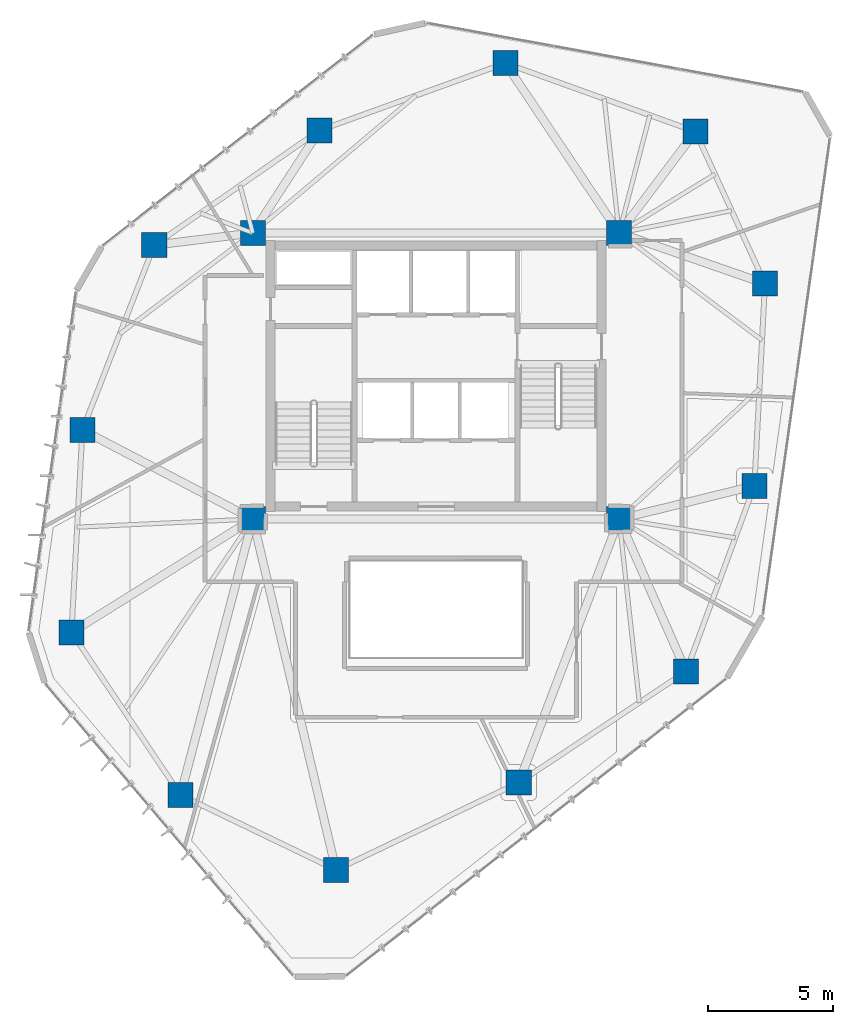
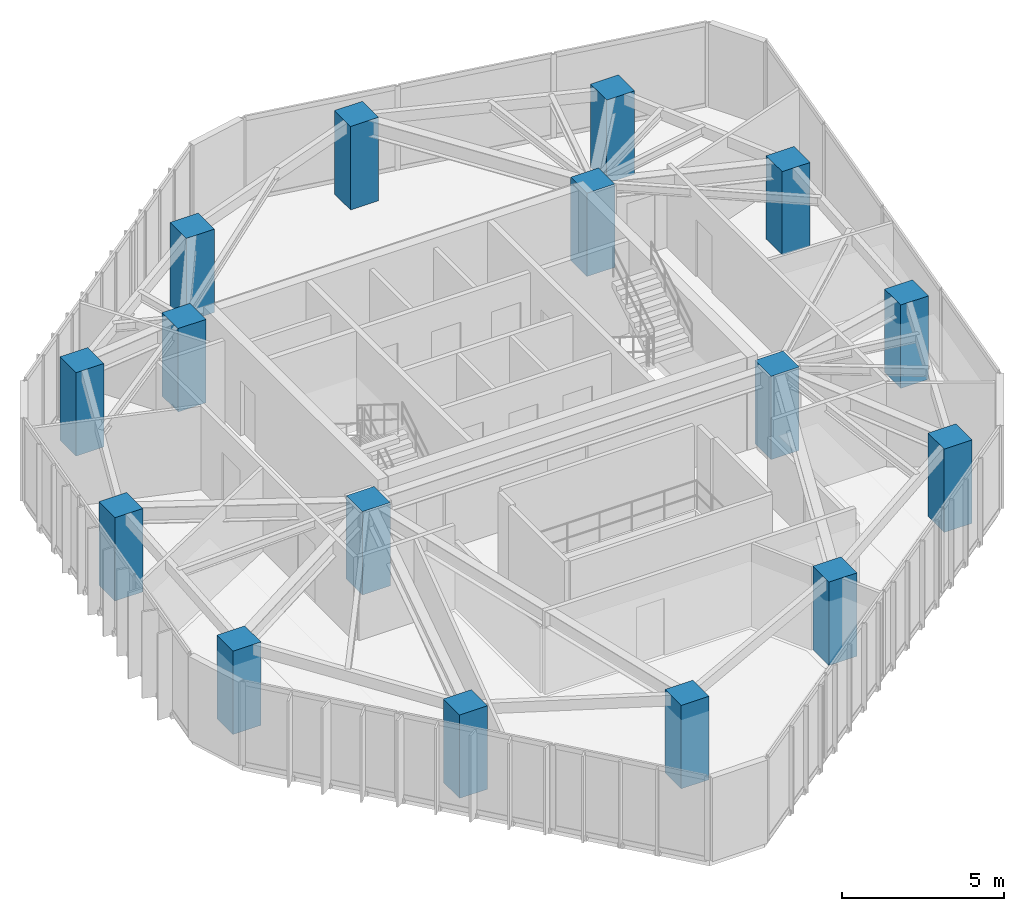
# One storey, part 1 of 21: 16 columns.
"""IFC4 building model written with IfcOpenShell, lengths in metres."""

import ifcopenshell
import ifcopenshell.guid

model = None  # the IFC model being written
_history = None  # IfcOwnerHistory: only IFC2X3 demands one
_inside = {}  # id of a spatial element -> (the spatial element, [elements in it])
_under = {}  # id of a project, library or spatial element -> (it, [spatial elements below it])
_declared = {}  # id of a project -> (the project, [libraries it declares])
_typed = {}  # id of a type object -> (the type object, [elements of that type])
_made_of = {}  # id of a material, layer set ... -> (it, [elements and type objects made of it])


def new_model(schema):
    """Start an empty IFC model of exactly this schema.

    Asked for "IFC4X3", IfcOpenShell would pick the latest addendum, in which some entities
    have other attributes; the version numbers below select the first issue.
    IFC2X3 requires an IfcOwnerHistory on every rooted entity: one is made here for all.
    """
    global model, _history
    if schema == "IFC4X3":
        model = ifcopenshell.file(schema_version=(4, 3, 0, 0))
    else:
        model = ifcopenshell.file(schema=schema)
    _inside.clear()
    _under.clear()
    _declared.clear()
    _typed.clear()
    _made_of.clear()
    _history = None
    if model.schema == "IFC2X3":
        org = make("IfcOrganization", Name="unknown")
        user = make(
            "IfcPersonAndOrganization",
            ThePerson=make("IfcPerson", FamilyName="unknown"),
            TheOrganization=org,
        )
        app = make(
            "IfcApplication",
            ApplicationDeveloper=org,
            Version="unknown",
            ApplicationFullName="unknown",
            ApplicationIdentifier="unknown",
        )
        _history = make(
            "IfcOwnerHistory",
            OwningUser=user,
            OwningApplication=app,
            ChangeAction="ADDED",
            CreationDate=0,
        )
    return model


def make(cls, **values):
    """One entity of the class cls with the attributes given. An attribute that is None is left unset."""
    return model.create_entity(
        cls, **{name: value for name, value in values.items() if value is not None}
    )


def rooted(cls, **values):
    """An entity with a GlobalId (a new one), such as an element, a storey or a relation."""
    return make(cls, GlobalId=ifcopenshell.guid.new(), OwnerHistory=_history, **values)


def si_unit(unit_type, name, prefix=None):
    """IfcSIUnit, for example si_unit("LENGTHUNIT", "METRE", prefix="MILLI")."""
    return make("IfcSIUnit", UnitType=unit_type, Prefix=prefix, Name=name)


def assignment(units):
    """IfcUnitAssignment: the units of a project."""
    return None if units is None else make("IfcUnitAssignment", Units=units)


def point(xyz):
    """IfcCartesianPoint."""
    return None if xyz is None else make("IfcCartesianPoint", Coordinates=xyz)


def direction(xyz):
    """IfcDirection."""
    return None if xyz is None else make("IfcDirection", DirectionRatios=xyz)


def frame(location, z_axis=None, x_axis=None):
    """IfcAxis2Placement3D, a coordinate frame: its origin and axes. An axis left out is left unset."""
    return make(
        "IfcAxis2Placement3D",
        Location=point(location),
        Axis=direction(z_axis),
        RefDirection=direction(x_axis),
    )


def frame_2d(location, x_axis=None):
    """IfcAxis2Placement2D, a coordinate frame in the plane: its origin and x axis."""
    return make(
        "IfcAxis2Placement2D", Location=point(location), RefDirection=direction(x_axis)
    )


def origin():
    """The frame at (0, 0, 0) with its axes left unset."""
    return frame((0.0, 0.0, 0.0))


def origin_2d():
    """The frame at (0, 0) in the plane with its x axis left unset."""
    return frame_2d((0.0, 0.0))


def place(relative_to, where):
    """IfcLocalPlacement: puts the frame where relative to a parent placement (None: the world)."""
    return make(
        "IfcLocalPlacement", PlacementRelTo=relative_to, RelativePlacement=where
    )


def context(
    kind, dimensions, precision=None, world=None, true_north=None, identifier=None
):
    """IfcGeometricRepresentationContext, for example the 3D "Model" context."""
    return make(
        "IfcGeometricRepresentationContext",
        ContextIdentifier=identifier,
        ContextType=kind,
        CoordinateSpaceDimension=dimensions,
        Precision=precision,
        WorldCoordinateSystem=world,
        TrueNorth=true_north,
    )


def subcontext(parent, identifier, kind, view, scale=None):
    """IfcGeometricRepresentationSubContext, for example "Body" below "Model"."""
    return make(
        "IfcGeometricRepresentationSubContext",
        ContextIdentifier=identifier,
        ContextType=kind,
        ParentContext=parent,
        TargetScale=scale,
        TargetView=view,
    )


def project(units=None, contexts=None):
    """IfcProject with its units and contexts."""
    return rooted(
        "IfcProject",
        Name="project",
        RepresentationContexts=contexts,
        UnitsInContext=assignment(units),
    )


def spatial(cls, under=None, at=None, **own):
    """A site, building, storey or space (cls), placed at a placement, below another one or the project."""
    s = rooted(cls, ObjectPlacement=at, **own)
    if under is not None:
        _under.setdefault(under.id(), (under, []))[1].append(s)
    return s


def profile(cls, at=None, kind="AREA", **sizes):
    """A parametric profile (cls). Its sizes go by their IFC names, for example OverallWidth=200.0."""
    return make(cls, ProfileType=kind, Position=at, **sizes)


def rectangle(**sizes):
    """IfcRectangleProfileDef."""
    return profile("IfcRectangleProfileDef", **sizes)


def extrude(swept, where, along, depth):
    """IfcExtrudedAreaSolid: the profile swept, set in the frame where, extruded along a direction by depth."""
    return make(
        "IfcExtrudedAreaSolid",
        SweptArea=swept,
        Position=where,
        ExtrudedDirection=direction(along),
        Depth=depth,
    )


def shape(context_of_items, identifier, shape_type, items):
    """IfcShapeRepresentation: the items that make up one representation, for example the "Body"."""
    return make(
        "IfcShapeRepresentation",
        ContextOfItems=context_of_items,
        RepresentationIdentifier=identifier,
        RepresentationType=shape_type,
        Items=items,
    )


def material(Name=None, Category=None):
    """IfcMaterial."""
    return make("IfcMaterial", Name=Name, Category=Category)


def material_profile(
    of_material, cross_section, Name=None, Category=None, Priority=None
):
    """IfcMaterialProfile: a cross section and its material."""
    return make(
        "IfcMaterialProfile",
        Name=Name,
        Material=of_material,
        Profile=cross_section,
        Priority=Priority,
        Category=Category,
    )


def profile_set(profiles, Name=None, composite=None):
    """IfcMaterialProfileSet."""
    return make(
        "IfcMaterialProfileSet",
        Name=Name,
        MaterialProfiles=profiles,
        CompositeProfile=composite,
    )


def made_of(thing, what):
    """Note that an element or type object is made of a material, layer set ...; save() writes the relation."""
    if what is not None:
        _made_of.setdefault(what.id(), (what, []))[1].append(thing)
    return thing


def type_object(cls, material=None, **own):
    """A type object (cls), such as IfcWallType, which elements share."""
    return made_of(rooted(cls, **own), material)


def element(
    cls,
    number,
    at=None,
    inside=None,
    cuts=None,
    type_object=None,
    material=None,
    context=None,
    identifier="Body",
    shape_type=None,
    held_by="IfcProductDefinitionShape",
    body=None,
    shapes=None,
    **own,
):
    """One element of the class cls, such as IfcWall. Its Tag is "e" and its number.

    at: its placement. inside: the storey or other place that contains it. cuts: it is an
    opening in that element (IfcRelVoidsElement). A single representation is given by context,
    identifier, shape_type and body (its items); several are given by shapes. held_by: the class
    of the entity that holds the representations. save() writes the other relations.
    """
    e = rooted(cls, Tag="e%d" % number, ObjectPlacement=at, **own)
    if body is not None:
        shapes = [shape(context, identifier, shape_type, body)]
    if shapes is not None:
        e.Representation = make(held_by, Representations=shapes)
    if inside is not None:
        _inside.setdefault(inside.id(), (inside, []))[1].append(e)
    if cuts is not None:
        rooted(
            "IfcRelVoidsElement", RelatingBuildingElement=cuts, RelatedOpeningElement=e
        )
    if type_object is not None:
        _typed.setdefault(type_object.id(), (type_object, []))[1].append(e)
    return made_of(e, material)


def aggregate(whole, parts):
    """IfcRelAggregates: a whole, such as a stair, and the parts it consists of."""
    return rooted("IfcRelAggregates", RelatingObject=whole, RelatedObjects=parts)


def save(model, path):
    """Write the relations noted so far, then the file.

    IfcRelAggregates (storeys below a building ...), IfcRelContainedInSpatialStructure (elements
    in a storey), IfcRelDefinesByType, IfcRelAssociatesMaterial and IfcRelDeclares: one each for
    every whole, place, type object, material and project.
    """
    for whole, parts in _under.values():
        aggregate(whole, parts)
    for where, things in _inside.values():
        rooted(
            "IfcRelContainedInSpatialStructure",
            RelatedElements=things,
            RelatingStructure=where,
        )
    for kind, things in _typed.values():
        rooted("IfcRelDefinesByType", RelatedObjects=things, RelatingType=kind)
    for what, things in _made_of.values():
        rooted("IfcRelAssociatesMaterial", RelatedObjects=things, RelatingMaterial=what)
    for by, libraries in _declared.values():
        rooted("IfcRelDeclares", RelatingContext=by, RelatedDefinitions=libraries)
    model.write(path)


model = new_model("IFC4")

# Units and contexts
model_context = context("Model", 3, precision=1e-05, world=origin(), true_north=direction((0.0, 1.0)))
body_context = subcontext(model_context, "Body", "Model", "MODEL_VIEW")
ifc_project = project(units=[si_unit("LENGTHUNIT", "METRE"), si_unit("AREAUNIT", "SQUARE_METRE"), si_unit("VOLUMEUNIT", "CUBIC_METRE"), si_unit("PLANEANGLEUNIT", "RADIAN"), si_unit("MASSUNIT", "GRAM", prefix="KILO")], contexts=[model_context])

# Site, building, storey
site_placement = place(None, origin())
site = spatial("IfcSite", under=ifc_project, at=site_placement, CompositionType="ELEMENT")
building_placement = place(site_placement, origin())
building = spatial("IfcBuilding", under=site, at=building_placement, Name="Talar Marvaseh", CompositionType="ELEMENT")
storey_placement = place(building_placement, frame((0.0, 0.0, 232.699951171875)))
storey = spatial("IfcBuildingStorey", under=building, at=storey_placement, Name="L61", CompositionType="ELEMENT", Elevation=232.699951171875)

# Columns
ifc_material = material(Name="Concrete C60/75", Category="concrete")
ifc_material_profile = material_profile(ifc_material, rectangle(XDim=1.0, YDim=1.0, at=origin_2d()), Name="RC1000x1000")
ifc_profile_set = profile_set([ifc_material_profile], Name="Concrete C60/75")
column_type = type_object("IfcColumnType", Name="Zone 3 Tube Column RC1000x1000", PredefinedType="COLUMN", material=ifc_profile_set)
for number, where, z_axis, x_axis, name in (
    (1, (28.76611328125, 43.66796875, 0.0), (0.0, 0.0, 1.0), (1.0, 0.0, 0.0), "L61 Zone 3 Tube Column RC1000x1000"),
    (2, (36.341064453125, 40.94189453125, 0.0), (0.0, 0.0, 1.0), (1.0, 0.0, 0.0), "L61 Zone 3 Tube Column RC1000x1000"),
    (3, (39.113037109375, 34.884033203125, 0.0), (0.0, 0.0, 1.0), (1.0, 0.0, 0.0), "L61 Zone 3 Tube Column RC1000x1000"),
    (4, (38.68896484375, 26.823974609375, 0.0), (0.0, 0.0, 1.0), (1.0, 0.0, 0.0), "L61 Zone 3 Tube Column RC1000x1000"),
    (5, (35.970947265625, 19.423095703125, 0.0), (0.0, 0.0, 1.0), (1.0, 0.0, 0.0), "L61 Zone 3 Tube Column RC1000x1000"),
    (6, (29.299072265625, 14.993896484375, 0.0), (0.0, 0.0, 1.0), (1.0, 0.0, 0.0), "L61 Zone 3 Tube Column RC1000x1000"),
    (7, (22.014892578125, 11.51904296875, 0.0), (0.0, 0.0, 1.0), (1.0, 0.0, 0.0), "L61 Zone 3 Tube Column RC1000x1000"),
    (8, (15.819091796875, 14.5009765625, 0.0), (0.0, 0.0, 1.0), (1.0, 0.0, 0.0), "L61 Zone 3 Tube Column RC1000x1000"),
    (9, (11.471923828125, 20.986083984375, 0.0), (0.0, 0.0, 1.0), (1.0, 0.0, 0.0), "L61 Zone 3 Tube Column RC1000x1000"),
    (10, (11.908935546875, 29.044921875, 0.0), (0.0, 0.0, 1.0), (1.0, 0.0, 0.0), "L61 Zone 3 Tube Column RC1000x1000"),
    (11, (14.77294921875, 36.416015625, 0.0), (0.0, 0.0, 1.0), (1.0, 0.0, 0.0), "L61 Zone 3 Tube Column RC1000x1000"),
    (12, (21.35205078125, 40.986083984375, 0.0), (0.0, 0.0, 1.0), (1.0, 0.0, 0.0), "L61 Zone 3 Tube Column RC1000x1000"),
    (13, (18.699951171875, 25.5, 0.0), (0.0, 0.0, 1.0), (1.0, 0.0, 0.0), "L61 Zone 3 Tube Column RC1000x1000"),
    (14, (33.300048828125, 25.5, 0.0), (0.0, 0.0, 1.0), (1.0, 0.0, 0.0), "L61 Zone 3 Tube Column RC1000x1000"),
    (15, (33.300048828125, 36.89990234375, 0.0), (0.0, 0.0, 1.0), (1.0, 0.0, 0.0), "L61 Zone 3 Tube Column RC1000x1000"),
    (16, (18.699951171875, 36.89990234375, 0.0), (0.0, 0.0, 1.0), (1.0, 0.0, 0.0), "L61 Zone 3 Tube Column RC1000x1000"),
):
    element("IfcColumn", number, at=place(storey_placement, frame(where, z_axis=z_axis, x_axis=x_axis)), inside=storey, type_object=column_type, Name=name, PredefinedType="COLUMN", context=body_context, shape_type="SweptSolid", body=[
        extrude(rectangle(XDim=1.0, YDim=1.0, at=origin_2d()), origin(), (0.0, 0.0, 1.0), 3.150146484375),
    ])

save(model, "model.ifc")
